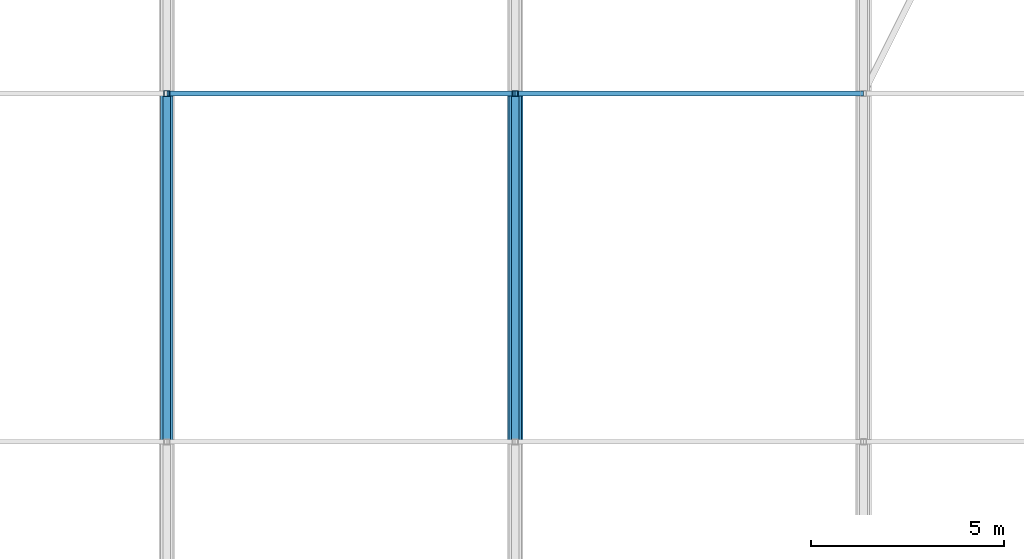
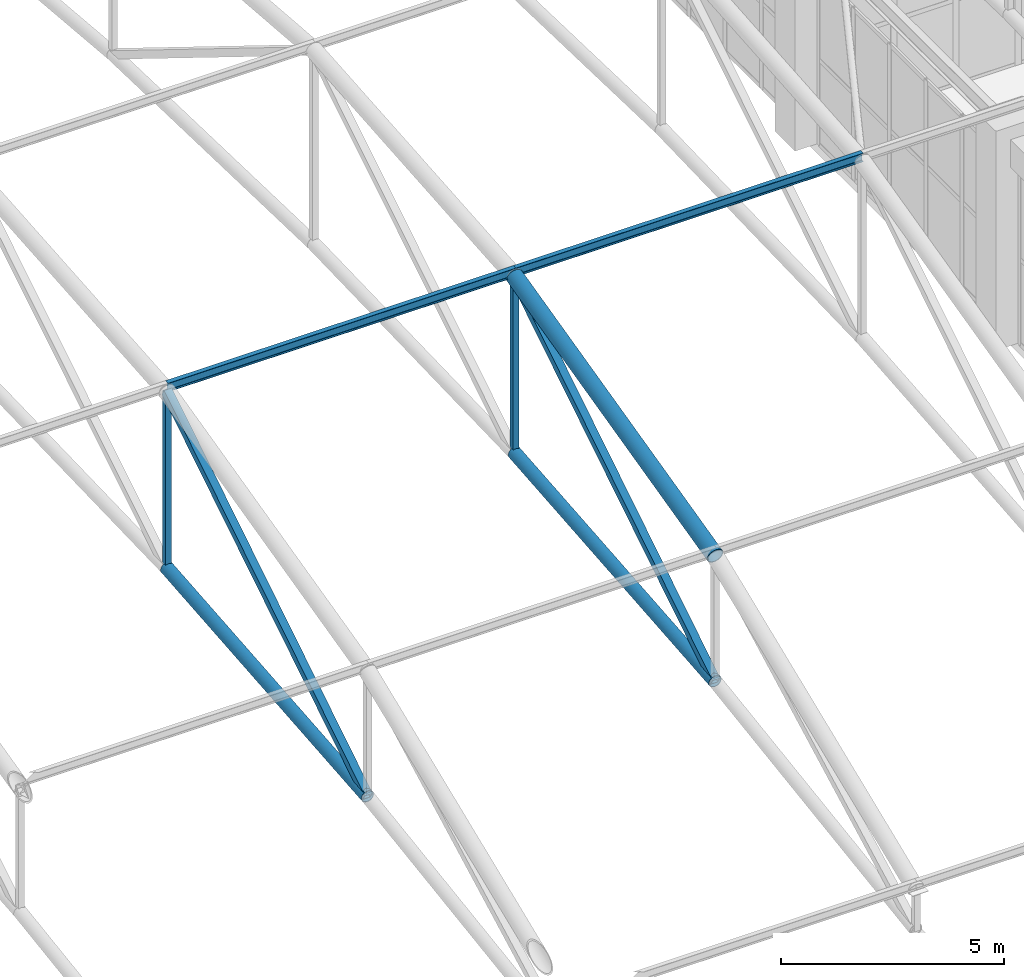
# One storey, part 87 of 223: 9 members.
"""IFC4 building model written with IfcOpenShell, lengths in metres."""

from ifc_helpers import new_model, si_unit, direction, frame, origin, origin_2d, place, context, subcontext, project, spatial, hollow_rectangle, hollow_circle, i_section, extrude, material, material_profile, profile_set, type_object, element, save


model = new_model("IFC4")

# Units and contexts
model_context = context("Model", 3, precision=1e-05, world=origin(), true_north=direction((0.0, 1.0)))
body_context = subcontext(model_context, "Body", "Model", "MODEL_VIEW")
ifc_project = project(units=[si_unit("LENGTHUNIT", "METRE"), si_unit("AREAUNIT", "SQUARE_METRE"), si_unit("VOLUMEUNIT", "CUBIC_METRE"), si_unit("PLANEANGLEUNIT", "RADIAN"), si_unit("MASSUNIT", "GRAM", prefix="KILO")], contexts=[model_context])

# Site, building, storey
site_placement = place(None, origin())
site = spatial("IfcSite", under=ifc_project, at=site_placement, CompositionType="ELEMENT")
building_placement = place(site_placement, origin())
building = spatial("IfcBuilding", under=site, at=building_placement, Name="Dornveld Trade and Exhibition Forum", CompositionType="ELEMENT")
storey_placement = place(building_placement, frame((0.0, 0.0, 6.0)))
storey = spatial("IfcBuildingStorey", under=building, at=storey_placement, Name="L01", CompositionType="ELEMENT", Elevation=6.0)

# Members
ifc_material_1 = material(Name="Steel S355J2", Category="steel")
ifc_material_profile_1 = material_profile(ifc_material_1, hollow_circle(Radius=0.161865234375, WallThickness=0.01611328125, at=origin_2d()), Name="CHS 323.9x16")
ifc_profile_set_1 = profile_set([ifc_material_profile_1], Name="Steel S355J2")
member_type_1 = type_object("IfcMemberType", Name="MEM-ARCH-BC", PredefinedType="CHORD", material=ifc_profile_set_1)
for number, where, z_axis, x_axis, name in (
    (1, (144.0, 117.0, 7.683349609375), (0.0, 0.996072164085, 0.088545151956), (-1.0, 0.0, 0.0), "H1 truss 6 tie chord 2"),
    (2, (153.0, 117.0, 7.683349609375), (0.0, 0.996072164085, 0.088545151956), (-1.0, 0.0, 0.0), "H1 truss 7 tie chord 2"),
):
    element("IfcMember", number, at=place(storey_placement, frame(where, z_axis=z_axis, x_axis=x_axis)), inside=storey, type_object=member_type_1, Name=name, PredefinedType="CHORD", context=body_context, shape_type="SweptSolid", body=[
        extrude(hollow_circle(Radius=0.161865234375, WallThickness=0.01611328125, at=origin_2d()), origin(), (0.0, 0.0, 1.0), 9.035400390625),
    ])
ifc_material_2 = material(Name="Steel S355J2", Category="steel")
ifc_material_profile_2 = material_profile(ifc_material_2, hollow_rectangle(XDim=0.14990234375, YDim=0.14990234375, WallThickness=0.008056640625, at=origin_2d()), Name="SHS 150x150x8")
ifc_profile_set_2 = profile_set([ifc_material_profile_2], Name="Steel S355J2")
member_type_2 = type_object("IfcMemberType", Name="MEM-ARCH-STR", PredefinedType="STRUT", material=ifc_profile_set_2)
for number, where, z_axis, x_axis, name in (
    (3, (144.0, 126.0, 8.4833984375), (0.0, 0.0, 1.0), (1.0, 0.0, 0.0), "H1 truss 6 strut 3"),
    (4, (153.0, 126.0, 8.4833984375), (0.0, 0.0, 1.0), (1.0, 0.0, 0.0), "H1 truss 7 strut 3"),
):
    element("IfcMember", number, at=place(storey_placement, frame(where, z_axis=z_axis, x_axis=x_axis)), inside=storey, type_object=member_type_2, Name=name, PredefinedType="STRUT", context=body_context, shape_type="SweptSolid", body=[
        extrude(hollow_rectangle(XDim=0.14990234375, YDim=0.14990234375, WallThickness=0.008056640625, at=origin_2d()), origin(), (0.0, 0.0, 1.0), 4.833251953125),
    ])
ifc_material_3 = material(Name="Steel S355J2", Category="steel")
ifc_material_profile_3 = material_profile(ifc_material_3, hollow_circle(Radius=0.203125, WallThickness=0.02001953125, at=origin_2d()), Name="CHS 406.4x20")
ifc_profile_set_3 = profile_set([ifc_material_profile_3], Name="Steel S355J2")
member_type_3 = type_object("IfcMemberType", Name="MEM-ARCH-TC", PredefinedType="CHORD", material=ifc_profile_set_3)
member_placement = place(storey_placement, frame((153.0, 117.0, 11.11669921875), z_axis=(0.0, 0.971400222114, 0.237448117444), x_axis=(-1.0, 0.0, 0.0)))
element("IfcMember", 5, at=member_placement, inside=storey, type_object=member_type_3, Name="H1 truss 7 top chord 2", PredefinedType="CHORD", context=body_context, shape_type="SweptSolid", body=[
    extrude(hollow_circle(Radius=0.203125, WallThickness=0.02001953125, at=origin_2d()), origin(), (0.0, 0.0, 1.0), 9.264892578125),
])
ifc_material_4 = material(Name="Steel S355J2", Category="steel")
ifc_material_profile_4 = material_profile(ifc_material_4, hollow_rectangle(XDim=0.199951171875, YDim=0.199951171875, WallThickness=0.010009765625, at=origin_2d()), Name="SHS 200x200x10")
ifc_profile_set_4 = profile_set([ifc_material_profile_4], Name="Steel S355J2")
member_type_4 = type_object("IfcMemberType", Name="MEM-ARCH-WEB", PredefinedType="BRACE", material=ifc_profile_set_4)
for number, where, z_axis, x_axis, name in (
    (6, (144.0, 117.0, 7.683349609375), (0.0, 0.847646750348, 0.530561011218), (-1.0, 0.0, 0.0), "H1 truss 6 web 2"),
    (7, (153.0, 117.0, 7.683349609375), (0.0, 0.847646750348, 0.530561011218), (-1.0, 0.0, 0.0), "H1 truss 7 web 2"),
):
    element("IfcMember", number, at=place(storey_placement, frame(where, z_axis=z_axis, x_axis=x_axis)), inside=storey, type_object=member_type_4, Name=name, PredefinedType="BRACE", context=body_context, shape_type="SweptSolid", body=[
        extrude(hollow_rectangle(XDim=0.199951171875, YDim=0.199951171875, WallThickness=0.010009765625, at=origin_2d()), origin(), (0.0, 0.0, 1.0), 10.61767578125),
    ])
ifc_material_5 = material(Name="Steel S355J2", Category="steel")
ifc_material_profile_5 = material_profile(ifc_material_5, i_section(OverallWidth=0.1201171875, OverallDepth=0.239990234375, WebThickness=0.006103515625, FlangeThickness=0.009765625, FilletRadius=0.014892578125, at=origin_2d()), Name="IPE 240")
ifc_profile_set_5 = profile_set([ifc_material_profile_5], Name="Steel S355J2")
member_type_5 = type_object("IfcMemberType", Name="MEM-PURLIN-240", PredefinedType="PURLIN", material=ifc_profile_set_5)
for number, where, z_axis, x_axis, name in (
    (8, (144.0, 126.0, 13.44873046875), (1.0, 0.0, 0.0), (0.0, 1.0, 0.0), "H1 bay 6 roof purlin 3"),
    (9, (153.0, 126.0, 13.44873046875), (1.0, 0.0, 0.0), (0.0, 1.0, 0.0), "H1 bay 7 roof purlin 3"),
):
    element("IfcMember", number, at=place(storey_placement, frame(where, z_axis=z_axis, x_axis=x_axis)), inside=storey, type_object=member_type_5, Name=name, PredefinedType="PURLIN", context=body_context, shape_type="SweptSolid", body=[
        extrude(i_section(OverallWidth=0.1201171875, OverallDepth=0.239990234375, WebThickness=0.006103515625, FlangeThickness=0.009765625, FilletRadius=0.014892578125, at=origin_2d()), origin(), (0.0, 0.0, 1.0), 9.0),
    ])

save(model, "model.ifc")
